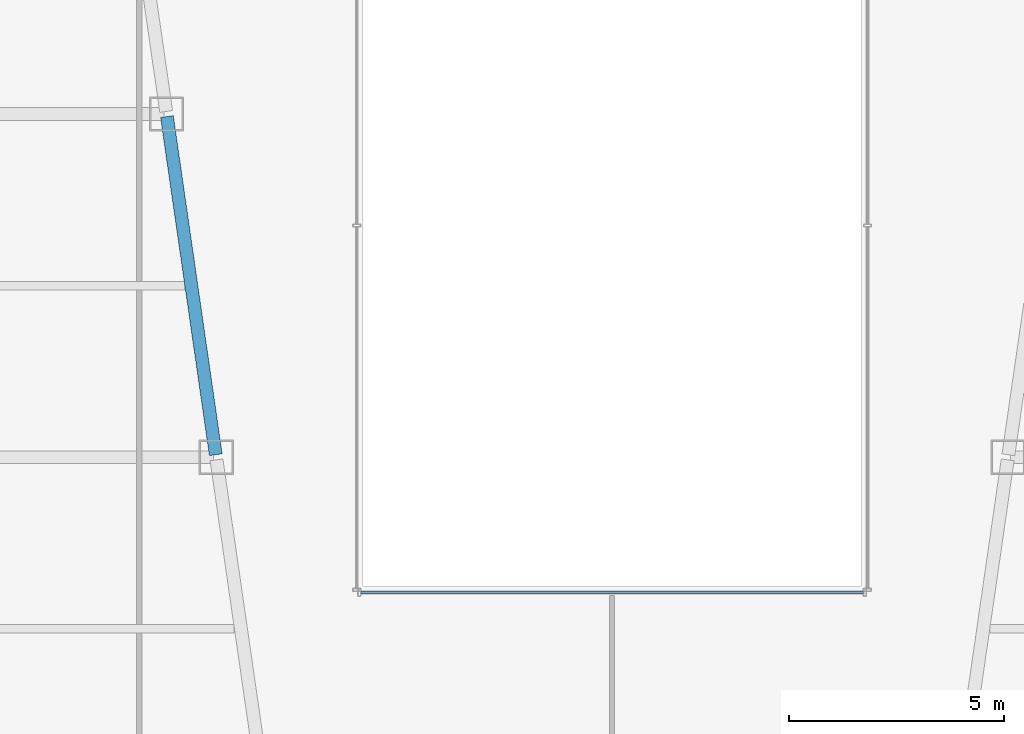
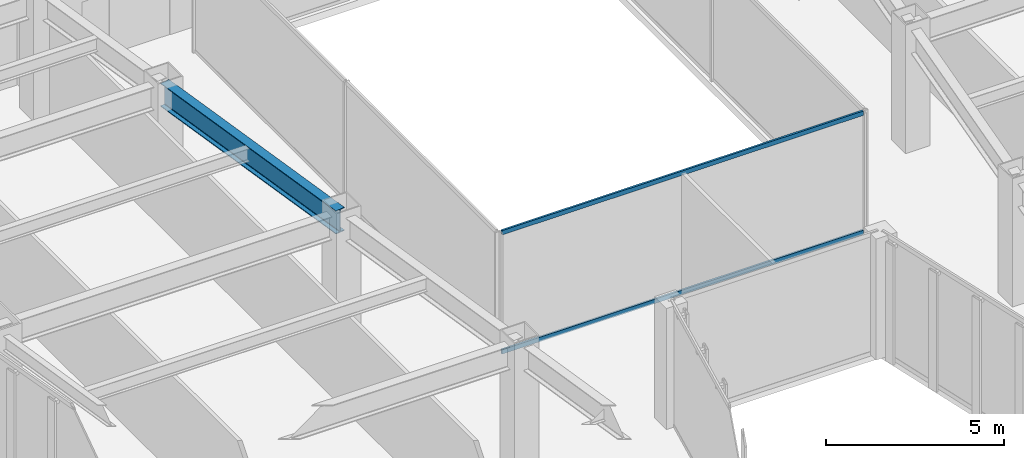
# One storey, part 13 of 49: 2 members, 1 beam, 1 element without a shape of its own.
"""IFC4 building model written with IfcOpenShell, lengths in metres."""

from ifc_helpers import new_model, si_unit, direction, frame, origin, origin_2d, place, context, subcontext, project, spatial, hollow_rectangle, i_section, extrude, material, material_profile, profile_set, type_object, element, aggregate, save


model = new_model("IFC4")

# Units and contexts
model_context = context("Model", 3, precision=1e-05, world=origin(), true_north=direction((0.0, 1.0)))
body_context = subcontext(model_context, "Body", "Model", "MODEL_VIEW")
ifc_project = project(units=[si_unit("LENGTHUNIT", "METRE"), si_unit("AREAUNIT", "SQUARE_METRE"), si_unit("VOLUMEUNIT", "CUBIC_METRE"), si_unit("PLANEANGLEUNIT", "RADIAN"), si_unit("MASSUNIT", "GRAM", prefix="KILO")], contexts=[model_context])

# Site, building, storey
site_placement = place(None, origin())
site = spatial("IfcSite", under=ifc_project, at=site_placement, CompositionType="ELEMENT")
building_placement = place(site_placement, origin())
building = spatial("IfcBuilding", under=site, at=building_placement, Name="Saevonmaru Cultural Tower", CompositionType="ELEMENT")
storey_placement = place(building_placement, frame((0.0, 0.0, 73.60009765625)))
storey = spatial("IfcBuildingStorey", under=building, at=storey_placement, Name="L15", CompositionType="ELEMENT", Elevation=73.60009765625)

# Beam
ifc_material_1 = material(Name="Steel SM420", Category="steel")
ifc_material_profile_1 = material_profile(ifc_material_1, i_section(OverallWidth=0.300048828125, OverallDepth=0.800048828125, WebThickness=0.013916015625, FlangeThickness=0.02587890625, FilletRadius=0.028076171875, at=origin_2d()), Name="H-800x300x14x26")
ifc_profile_set_1 = profile_set([ifc_material_profile_1], Name="Steel SM420")
beam_type = type_object("IfcBeamType", Name="BM-G-H800", PredefinedType="BEAM", material=ifc_profile_set_1)
beam_placement = place(storey_placement, frame((20.763427734375, 24.059326171875, 3.75), z_axis=(-0.142902032203, 0.989736838353, 0.0), x_axis=(-0.989736838353, -0.142902032203, 0.0)))
element("IfcBeam", 1, at=beam_placement, inside=storey, type_object=beam_type, Name="L15 West Atrium Girder 4", PredefinedType="BEAM", context=body_context, shape_type="SweptSolid", body=[
    extrude(i_section(OverallWidth=0.300048828125, OverallDepth=0.800048828125, WebThickness=0.013916015625, FlangeThickness=0.02587890625, FilletRadius=0.028076171875, at=origin_2d()), origin(), (0.0, 0.0, 1.0), 7.963134765625),
])

# Curtain wall, members
ifc_material_2 = material(Name="Satin Bronze Anodised Aluminium", Category="aluminium")
curtain_wall_type = type_object("IfcCurtainWallType", Name="CW-ATR-GLZ", PredefinedType="NOTDEFINED", material=ifc_material_2)
curtain_wall_placement = place(storey_placement, origin())
curtain_wall = element("IfcCurtainWall", 2, at=curtain_wall_placement, inside=storey, type_object=curtain_wall_type, Name="L15 Vertical Atrium Glazed Smoke Screen 1", PredefinedType="NOTDEFINED")
ifc_material_profile_2 = material_profile(ifc_material_2, hollow_rectangle(XDim=0.06494140625, YDim=0.14990234375, WallThickness=0.00390625, at=origin_2d()), Name="ALU-TRAN-150x65x4")
ifc_profile_set_2 = profile_set([ifc_material_profile_2], Name="Satin Bronze Anodised Aluminium")
member_type = type_object("IfcMemberType", Name="TR-CW-INT-150x65", PredefinedType="USERDEFINED", material=ifc_profile_set_2)
member_1_placement = place(storey_placement, frame((24.142578125, 20.85009765625, 0.032470703125), z_axis=(1.0, 0.0, 0.0), x_axis=(0.0, 1.0, 0.0)))
member_1 = element("IfcMember", 3, at=member_1_placement, type_object=member_type, Name="CW-ATR-L15-1 transom 1.1", ObjectType="TRANSOM", PredefinedType="USERDEFINED", context=body_context, shape_type="SweptSolid", body=[
    extrude(hollow_rectangle(XDim=0.06494140625, YDim=0.14990234375, WallThickness=0.00390625, at=origin_2d()), origin(), (0.0, 0.0, 1.0), 11.71484375),
])
member_2_placement = place(storey_placement, frame((24.142578125, 20.85009765625, 4.117431640625), z_axis=(1.0, 0.0, 0.0), x_axis=(0.0, 1.0, 0.0)))
member_2 = element("IfcMember", 4, at=member_2_placement, type_object=member_type, Name="CW-ATR-L15-1 transom 1.2", ObjectType="TRANSOM", PredefinedType="USERDEFINED", context=body_context, shape_type="SweptSolid", body=[
    extrude(hollow_rectangle(XDim=0.06494140625, YDim=0.14990234375, WallThickness=0.00390625, at=origin_2d()), origin(), (0.0, 0.0, 1.0), 11.71484375),
])
aggregate(curtain_wall, [member_1, member_2])

save(model, "model.ifc")
